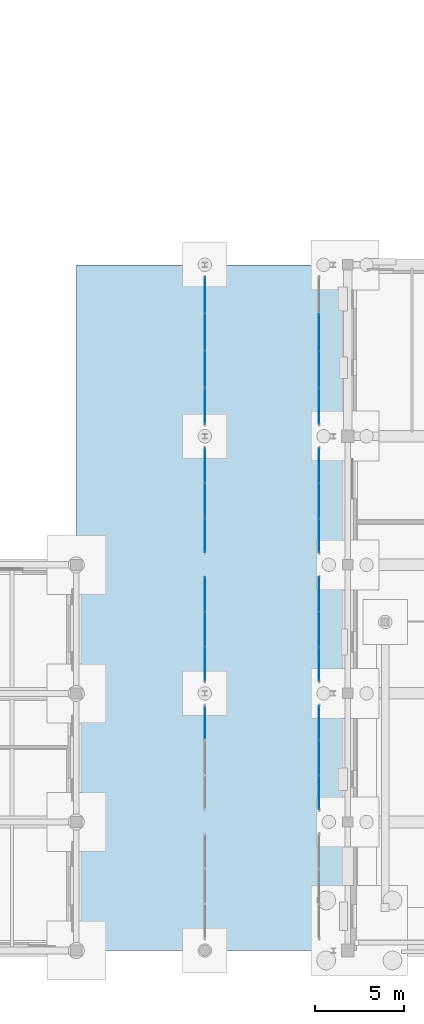
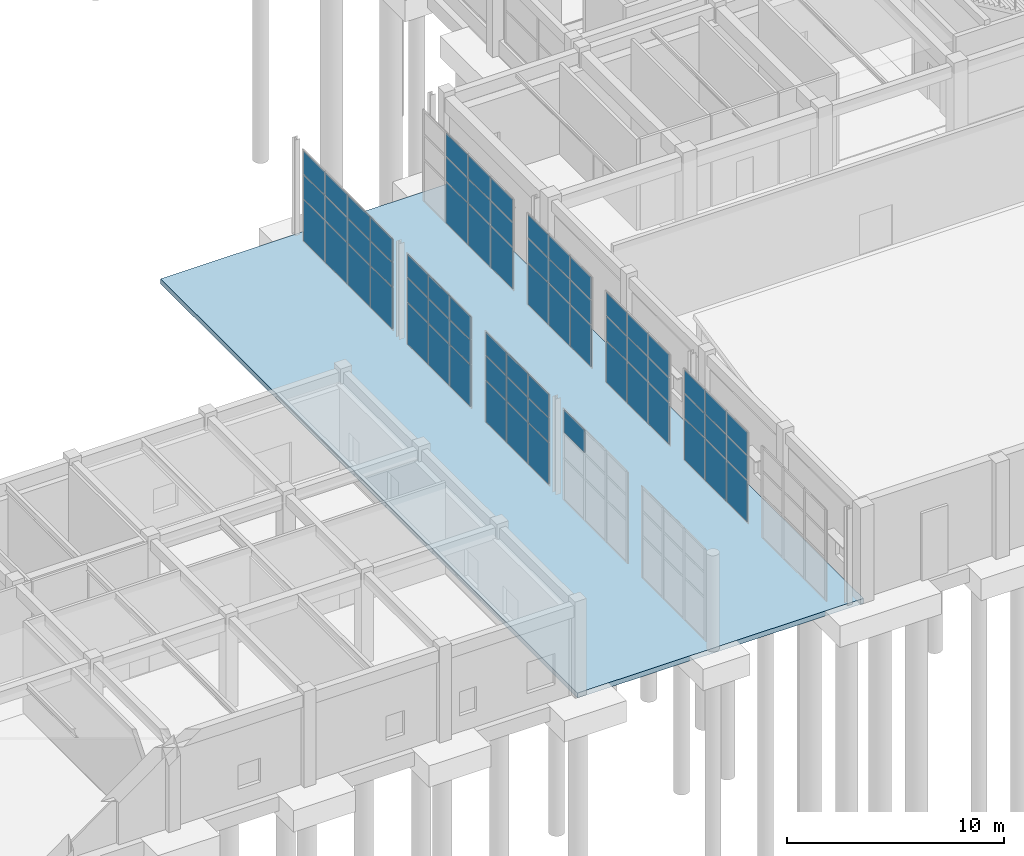
# One storey, part 57 of 91: 67 plates, 1 slab, 8 elements without a shape of their own.
"""IFC4 building model written with IfcOpenShell, lengths in metres."""

from ifc_helpers import new_model, si_unit, direction, frame, origin, origin_2d, place, context, subcontext, project, spatial, polyline, rectangle, outline, extrude, material, layer, layer_set, type_object, element, aggregate, save


model = new_model("IFC4")

# Units and contexts
model_context = context("Model", 3, precision=1e-05, world=origin(), true_north=direction((0.0, 1.0)))
body_context = subcontext(model_context, "Body", "Model", "MODEL_VIEW")
ifc_project = project(units=[si_unit("LENGTHUNIT", "METRE"), si_unit("AREAUNIT", "SQUARE_METRE"), si_unit("VOLUMEUNIT", "CUBIC_METRE"), si_unit("PLANEANGLEUNIT", "RADIAN"), si_unit("MASSUNIT", "GRAM", prefix="KILO")], contexts=[model_context])

# Site, building, storey
site_placement = place(None, origin())
site = spatial("IfcSite", under=ifc_project, at=site_placement, CompositionType="ELEMENT")
building_placement = place(site_placement, origin())
building = spatial("IfcBuilding", under=site, at=building_placement, Name="Bramveld Media Centre", CompositionType="ELEMENT")
storey_placement = place(building_placement, origin())
storey = spatial("IfcBuildingStorey", under=building, at=storey_placement, Name="L00", CompositionType="ELEMENT", Elevation=0.0)

# Curtain wall, plate
ifc_material_1 = material(Name="Thermally broken anodized bronze aluminium unitized curtain wall with solar-control triple glazing", Category="aluminium")
curtain_wall_type_1 = type_object("IfcCurtainWallType", Name="CW-GAL-5900x5160", PredefinedType="NOTDEFINED", material=ifc_material_1)
curtain_wall_1_placement = place(storey_placement, origin())
curtain_wall_1 = element("IfcCurtainWall", 1, at=curtain_wall_1_placement, inside=storey, type_object=curtain_wall_type_1, Name="PASS-M colonnade glazed screen 2", PredefinedType="NOTDEFINED")
ifc_material_2 = material(Name="Solar-control triple insulating safety glass unit", Category="glass")
ifc_layer_1 = layer(ifc_material_2, 0.028076171875)
ifc_layer_set_1 = layer_set([ifc_layer_1], Name="Solar-control triple insulating safety glass unit")
plate_type = type_object("IfcPlateType", Name="CW-PAN-EXT", PredefinedType="CURTAIN_PANEL", material=ifc_layer_set_1)
plate_1_placement = place(storey_placement, frame((116.0, 12.751708984375, 3.830078125), z_axis=(0.0, 0.0, 1.0), x_axis=(0.0, 1.0, 0.0)))
plate_1 = element("IfcPlate", 2, at=plate_1_placement, type_object=plate_type, Name="CW-GA-5951 panel 3.3", PredefinedType="CURTAIN_PANEL", context=body_context, shape_type="SweptSolid", body=[
    extrude(rectangle(XDim=1.876708984375, YDim=0.028076171875, at=origin_2d()), origin(), (0.0, 0.0, 1.0), 1.27001953125),
])
aggregate(curtain_wall_1, [plate_1])

# Curtain wall, plates
curtain_wall_2_placement = place(storey_placement, origin())
curtain_wall_2 = element("IfcCurtainWall", 3, at=curtain_wall_2_placement, inside=storey, type_object=curtain_wall_type_1, Name="PASS-M colonnade glazed screen 3", PredefinedType="NOTDEFINED")
plate_2_placement = place(storey_placement, frame((116.0, 16.04833984375, 0.06005859375), z_axis=(0.0, 0.0, 1.0), x_axis=(0.0, 1.0, 0.0)))
plate_2 = element("IfcPlate", 4, at=plate_2_placement, type_object=plate_type, Name="CW-GA-5951 panel 1.1", PredefinedType="CURTAIN_PANEL", context=body_context, shape_type="SweptSolid", body=[
    extrude(rectangle(XDim=1.876708984375, YDim=0.028076171875, at=origin_2d()), origin(), (0.0, 0.0, 1.0), 2.31005859375),
])
plate_3_placement = place(storey_placement, frame((116.0, 16.04833984375, 2.43017578125), z_axis=(0.0, 0.0, 1.0), x_axis=(0.0, 1.0, 0.0)))
plate_3 = element("IfcPlate", 5, at=plate_3_placement, type_object=plate_type, Name="CW-GA-5951 panel 1.2", PredefinedType="CURTAIN_PANEL", context=body_context, shape_type="SweptSolid", body=[
    extrude(rectangle(XDim=1.876708984375, YDim=0.028076171875, at=origin_2d()), origin(), (0.0, 0.0, 1.0), 1.340087890625),
])
plate_4_placement = place(storey_placement, frame((116.0, 16.04833984375, 3.830078125), z_axis=(0.0, 0.0, 1.0), x_axis=(0.0, 1.0, 0.0)))
plate_4 = element("IfcPlate", 6, at=plate_4_placement, type_object=plate_type, Name="CW-GA-5951 panel 1.3", PredefinedType="CURTAIN_PANEL", context=body_context, shape_type="SweptSolid", body=[
    extrude(rectangle(XDim=1.876708984375, YDim=0.028076171875, at=origin_2d()), origin(), (0.0, 0.0, 1.0), 1.27001953125),
])
plate_5_placement = place(storey_placement, frame((116.0, 18.0, 0.06005859375), z_axis=(0.0, 0.0, 1.0), x_axis=(0.0, 1.0, 0.0)))
plate_5 = element("IfcPlate", 7, at=plate_5_placement, type_object=plate_type, Name="CW-GA-5951 panel 2.1", PredefinedType="CURTAIN_PANEL", context=body_context, shape_type="SweptSolid", body=[
    extrude(rectangle(XDim=1.90673828125, YDim=0.028076171875, at=origin_2d()), origin(), (0.0, 0.0, 1.0), 2.31005859375),
])
plate_6_placement = place(storey_placement, frame((116.0, 18.0, 2.43017578125), z_axis=(0.0, 0.0, 1.0), x_axis=(0.0, 1.0, 0.0)))
plate_6 = element("IfcPlate", 8, at=plate_6_placement, type_object=plate_type, Name="CW-GA-5951 panel 2.2", PredefinedType="CURTAIN_PANEL", context=body_context, shape_type="SweptSolid", body=[
    extrude(rectangle(XDim=1.90673828125, YDim=0.028076171875, at=origin_2d()), origin(), (0.0, 0.0, 1.0), 1.340087890625),
])
plate_7_placement = place(storey_placement, frame((116.0, 18.0, 3.830078125), z_axis=(0.0, 0.0, 1.0), x_axis=(0.0, 1.0, 0.0)))
plate_7 = element("IfcPlate", 9, at=plate_7_placement, type_object=plate_type, Name="CW-GA-5951 panel 2.3", PredefinedType="CURTAIN_PANEL", context=body_context, shape_type="SweptSolid", body=[
    extrude(rectangle(XDim=1.90673828125, YDim=0.028076171875, at=origin_2d()), origin(), (0.0, 0.0, 1.0), 1.27001953125),
])
plate_8_placement = place(storey_placement, frame((116.0, 19.95166015625, 0.06005859375), z_axis=(0.0, 0.0, 1.0), x_axis=(0.0, 1.0, 0.0)))
plate_8 = element("IfcPlate", 10, at=plate_8_placement, type_object=plate_type, Name="CW-GA-5951 panel 3.1", PredefinedType="CURTAIN_PANEL", context=body_context, shape_type="SweptSolid", body=[
    extrude(rectangle(XDim=1.876708984375, YDim=0.028076171875, at=origin_2d()), origin(), (0.0, 0.0, 1.0), 2.31005859375),
])
plate_9_placement = place(storey_placement, frame((116.0, 19.95166015625, 2.43017578125), z_axis=(0.0, 0.0, 1.0), x_axis=(0.0, 1.0, 0.0)))
plate_9 = element("IfcPlate", 11, at=plate_9_placement, type_object=plate_type, Name="CW-GA-5951 panel 3.2", PredefinedType="CURTAIN_PANEL", context=body_context, shape_type="SweptSolid", body=[
    extrude(rectangle(XDim=1.876708984375, YDim=0.028076171875, at=origin_2d()), origin(), (0.0, 0.0, 1.0), 1.340087890625),
])
plate_10_placement = place(storey_placement, frame((116.0, 19.95166015625, 3.830078125), z_axis=(0.0, 0.0, 1.0), x_axis=(0.0, 1.0, 0.0)))
plate_10 = element("IfcPlate", 12, at=plate_10_placement, type_object=plate_type, Name="CW-GA-5951 panel 3.3", PredefinedType="CURTAIN_PANEL", context=body_context, shape_type="SweptSolid", body=[
    extrude(rectangle(XDim=1.876708984375, YDim=0.028076171875, at=origin_2d()), origin(), (0.0, 0.0, 1.0), 1.27001953125),
])
aggregate(curtain_wall_2, [plate_2, plate_3, plate_4, plate_5, plate_6, plate_7, plate_8, plate_9, plate_10])

curtain_wall_3_placement = place(storey_placement, origin())
curtain_wall_3 = element("IfcCurtainWall", 13, at=curtain_wall_3_placement, inside=storey, type_object=curtain_wall_type_1, Name="PASS-M colonnade glazed screen 4", PredefinedType="NOTDEFINED")
plate_11_placement = place(storey_placement, frame((116.0, 23.248291015625, 0.06005859375), z_axis=(0.0, 0.0, 1.0), x_axis=(0.0, 1.0, 0.0)))
plate_11 = element("IfcPlate", 14, at=plate_11_placement, type_object=plate_type, Name="CW-GA-5951 panel 1.1", PredefinedType="CURTAIN_PANEL", context=body_context, shape_type="SweptSolid", body=[
    extrude(rectangle(XDim=1.876708984375, YDim=0.028076171875, at=origin_2d()), origin(), (0.0, 0.0, 1.0), 2.31005859375),
])
plate_12_placement = place(storey_placement, frame((116.0, 23.248291015625, 2.43017578125), z_axis=(0.0, 0.0, 1.0), x_axis=(0.0, 1.0, 0.0)))
plate_12 = element("IfcPlate", 15, at=plate_12_placement, type_object=plate_type, Name="CW-GA-5951 panel 1.2", PredefinedType="CURTAIN_PANEL", context=body_context, shape_type="SweptSolid", body=[
    extrude(rectangle(XDim=1.876708984375, YDim=0.028076171875, at=origin_2d()), origin(), (0.0, 0.0, 1.0), 1.340087890625),
])
plate_13_placement = place(storey_placement, frame((116.0, 23.248291015625, 3.830078125), z_axis=(0.0, 0.0, 1.0), x_axis=(0.0, 1.0, 0.0)))
plate_13 = element("IfcPlate", 16, at=plate_13_placement, type_object=plate_type, Name="CW-GA-5951 panel 1.3", PredefinedType="CURTAIN_PANEL", context=body_context, shape_type="SweptSolid", body=[
    extrude(rectangle(XDim=1.876708984375, YDim=0.028076171875, at=origin_2d()), origin(), (0.0, 0.0, 1.0), 1.27001953125),
])
plate_14_placement = place(storey_placement, frame((116.0, 25.199951171875, 0.06005859375), z_axis=(0.0, 0.0, 1.0), x_axis=(0.0, 1.0, 0.0)))
plate_14 = element("IfcPlate", 17, at=plate_14_placement, type_object=plate_type, Name="CW-GA-5951 panel 2.1", PredefinedType="CURTAIN_PANEL", context=body_context, shape_type="SweptSolid", body=[
    extrude(rectangle(XDim=1.90673828125, YDim=0.028076171875, at=origin_2d()), origin(), (0.0, 0.0, 1.0), 2.31005859375),
])
plate_15_placement = place(storey_placement, frame((116.0, 25.199951171875, 2.43017578125), z_axis=(0.0, 0.0, 1.0), x_axis=(0.0, 1.0, 0.0)))
plate_15 = element("IfcPlate", 18, at=plate_15_placement, type_object=plate_type, Name="CW-GA-5951 panel 2.2", PredefinedType="CURTAIN_PANEL", context=body_context, shape_type="SweptSolid", body=[
    extrude(rectangle(XDim=1.90673828125, YDim=0.028076171875, at=origin_2d()), origin(), (0.0, 0.0, 1.0), 1.340087890625),
])
plate_16_placement = place(storey_placement, frame((116.0, 25.199951171875, 3.830078125), z_axis=(0.0, 0.0, 1.0), x_axis=(0.0, 1.0, 0.0)))
plate_16 = element("IfcPlate", 19, at=plate_16_placement, type_object=plate_type, Name="CW-GA-5951 panel 2.3", PredefinedType="CURTAIN_PANEL", context=body_context, shape_type="SweptSolid", body=[
    extrude(rectangle(XDim=1.90673828125, YDim=0.028076171875, at=origin_2d()), origin(), (0.0, 0.0, 1.0), 1.27001953125),
])
plate_17_placement = place(storey_placement, frame((116.0, 27.151611328125, 0.06005859375), z_axis=(0.0, 0.0, 1.0), x_axis=(0.0, 1.0, 0.0)))
plate_17 = element("IfcPlate", 20, at=plate_17_placement, type_object=plate_type, Name="CW-GA-5951 panel 3.1", PredefinedType="CURTAIN_PANEL", context=body_context, shape_type="SweptSolid", body=[
    extrude(rectangle(XDim=1.876708984375, YDim=0.028076171875, at=origin_2d()), origin(), (0.0, 0.0, 1.0), 2.31005859375),
])
plate_18_placement = place(storey_placement, frame((116.0, 27.151611328125, 2.43017578125), z_axis=(0.0, 0.0, 1.0), x_axis=(0.0, 1.0, 0.0)))
plate_18 = element("IfcPlate", 21, at=plate_18_placement, type_object=plate_type, Name="CW-GA-5951 panel 3.2", PredefinedType="CURTAIN_PANEL", context=body_context, shape_type="SweptSolid", body=[
    extrude(rectangle(XDim=1.876708984375, YDim=0.028076171875, at=origin_2d()), origin(), (0.0, 0.0, 1.0), 1.340087890625),
])
plate_19_placement = place(storey_placement, frame((116.0, 27.151611328125, 3.830078125), z_axis=(0.0, 0.0, 1.0), x_axis=(0.0, 1.0, 0.0)))
plate_19 = element("IfcPlate", 22, at=plate_19_placement, type_object=plate_type, Name="CW-GA-5951 panel 3.3", PredefinedType="CURTAIN_PANEL", context=body_context, shape_type="SweptSolid", body=[
    extrude(rectangle(XDim=1.876708984375, YDim=0.028076171875, at=origin_2d()), origin(), (0.0, 0.0, 1.0), 1.27001953125),
])
aggregate(curtain_wall_3, [plate_11, plate_12, plate_13, plate_14, plate_15, plate_16, plate_17, plate_18, plate_19])

ifc_material_3 = material(Name="Thermally broken anodized bronze aluminium unitized curtain wall with solar-control triple glazing", Category="aluminium")
curtain_wall_type_2 = type_object("IfcCurtainWallType", Name="CW-GAL-8300x5160", PredefinedType="NOTDEFINED", material=ifc_material_3)
curtain_wall_4_placement = place(storey_placement, origin())
curtain_wall_4 = element("IfcCurtainWall", 23, at=curtain_wall_4_placement, inside=storey, type_object=curtain_wall_type_2, Name="PASS-M colonnade glazed screen 5", PredefinedType="NOTDEFINED")
plate_20_placement = place(storey_placement, frame((116.0, 30.50244140625, 0.06005859375), z_axis=(0.0, 0.0, 1.0), x_axis=(0.0, 1.0, 0.0)))
plate_20 = element("IfcPlate", 24, at=plate_20_placement, type_object=plate_type, Name="CW-GA-8351 panel 1.1", PredefinedType="CURTAIN_PANEL", context=body_context, shape_type="SweptSolid", body=[
    extrude(rectangle(XDim=1.985107421875, YDim=0.028076171875, at=origin_2d()), origin(), (0.0, 0.0, 1.0), 2.31005859375),
])
plate_21_placement = place(storey_placement, frame((116.0, 30.50244140625, 2.43017578125), z_axis=(0.0, 0.0, 1.0), x_axis=(0.0, 1.0, 0.0)))
plate_21 = element("IfcPlate", 25, at=plate_21_placement, type_object=plate_type, Name="CW-GA-8351 panel 1.2", PredefinedType="CURTAIN_PANEL", context=body_context, shape_type="SweptSolid", body=[
    extrude(rectangle(XDim=1.985107421875, YDim=0.028076171875, at=origin_2d()), origin(), (0.0, 0.0, 1.0), 1.340087890625),
])
plate_22_placement = place(storey_placement, frame((116.0, 30.50244140625, 3.830078125), z_axis=(0.0, 0.0, 1.0), x_axis=(0.0, 1.0, 0.0)))
plate_22 = element("IfcPlate", 26, at=plate_22_placement, type_object=plate_type, Name="CW-GA-8351 panel 1.3", PredefinedType="CURTAIN_PANEL", context=body_context, shape_type="SweptSolid", body=[
    extrude(rectangle(XDim=1.985107421875, YDim=0.028076171875, at=origin_2d()), origin(), (0.0, 0.0, 1.0), 1.27001953125),
])
plate_23_placement = place(storey_placement, frame((116.0, 32.5625, 0.06005859375), z_axis=(0.0, 0.0, 1.0), x_axis=(0.0, 1.0, 0.0)))
plate_23 = element("IfcPlate", 27, at=plate_23_placement, type_object=plate_type, Name="CW-GA-8351 panel 2.1", PredefinedType="CURTAIN_PANEL", context=body_context, shape_type="SweptSolid", body=[
    extrude(rectangle(XDim=2.014892578125, YDim=0.028076171875, at=origin_2d()), origin(), (0.0, 0.0, 1.0), 2.31005859375),
])
plate_24_placement = place(storey_placement, frame((116.0, 32.5625, 2.43017578125), z_axis=(0.0, 0.0, 1.0), x_axis=(0.0, 1.0, 0.0)))
plate_24 = element("IfcPlate", 28, at=plate_24_placement, type_object=plate_type, Name="CW-GA-8351 panel 2.2", PredefinedType="CURTAIN_PANEL", context=body_context, shape_type="SweptSolid", body=[
    extrude(rectangle(XDim=2.014892578125, YDim=0.028076171875, at=origin_2d()), origin(), (0.0, 0.0, 1.0), 1.340087890625),
])
plate_25_placement = place(storey_placement, frame((116.0, 32.5625, 3.830078125), z_axis=(0.0, 0.0, 1.0), x_axis=(0.0, 1.0, 0.0)))
plate_25 = element("IfcPlate", 29, at=plate_25_placement, type_object=plate_type, Name="CW-GA-8351 panel 2.3", PredefinedType="CURTAIN_PANEL", context=body_context, shape_type="SweptSolid", body=[
    extrude(rectangle(XDim=2.014892578125, YDim=0.028076171875, at=origin_2d()), origin(), (0.0, 0.0, 1.0), 1.27001953125),
])
plate_26_placement = place(storey_placement, frame((116.0, 34.637451171875, 0.06005859375), z_axis=(0.0, 0.0, 1.0), x_axis=(0.0, 1.0, 0.0)))
plate_26 = element("IfcPlate", 30, at=plate_26_placement, type_object=plate_type, Name="CW-GA-8351 panel 3.1", PredefinedType="CURTAIN_PANEL", context=body_context, shape_type="SweptSolid", body=[
    extrude(rectangle(XDim=2.014892578125, YDim=0.028076171875, at=origin_2d()), origin(), (0.0, 0.0, 1.0), 2.31005859375),
])
plate_27_placement = place(storey_placement, frame((116.0, 34.637451171875, 2.43017578125), z_axis=(0.0, 0.0, 1.0), x_axis=(0.0, 1.0, 0.0)))
plate_27 = element("IfcPlate", 31, at=plate_27_placement, type_object=plate_type, Name="CW-GA-8351 panel 3.2", PredefinedType="CURTAIN_PANEL", context=body_context, shape_type="SweptSolid", body=[
    extrude(rectangle(XDim=2.014892578125, YDim=0.028076171875, at=origin_2d()), origin(), (0.0, 0.0, 1.0), 1.340087890625),
])
plate_28_placement = place(storey_placement, frame((116.0, 34.637451171875, 3.830078125), z_axis=(0.0, 0.0, 1.0), x_axis=(0.0, 1.0, 0.0)))
plate_28 = element("IfcPlate", 32, at=plate_28_placement, type_object=plate_type, Name="CW-GA-8351 panel 3.3", PredefinedType="CURTAIN_PANEL", context=body_context, shape_type="SweptSolid", body=[
    extrude(rectangle(XDim=2.014892578125, YDim=0.028076171875, at=origin_2d()), origin(), (0.0, 0.0, 1.0), 1.27001953125),
])
plate_29_placement = place(storey_placement, frame((116.0, 36.697509765625, 0.06005859375), z_axis=(0.0, 0.0, 1.0), x_axis=(0.0, 1.0, 0.0)))
plate_29 = element("IfcPlate", 33, at=plate_29_placement, type_object=plate_type, Name="CW-GA-8351 panel 4.1", PredefinedType="CURTAIN_PANEL", context=body_context, shape_type="SweptSolid", body=[
    extrude(rectangle(XDim=1.985107421875, YDim=0.028076171875, at=origin_2d()), origin(), (0.0, 0.0, 1.0), 2.31005859375),
])
plate_30_placement = place(storey_placement, frame((116.0, 36.697509765625, 2.43017578125), z_axis=(0.0, 0.0, 1.0), x_axis=(0.0, 1.0, 0.0)))
plate_30 = element("IfcPlate", 34, at=plate_30_placement, type_object=plate_type, Name="CW-GA-8351 panel 4.2", PredefinedType="CURTAIN_PANEL", context=body_context, shape_type="SweptSolid", body=[
    extrude(rectangle(XDim=1.985107421875, YDim=0.028076171875, at=origin_2d()), origin(), (0.0, 0.0, 1.0), 1.340087890625),
])
plate_31_placement = place(storey_placement, frame((116.0, 36.697509765625, 3.830078125), z_axis=(0.0, 0.0, 1.0), x_axis=(0.0, 1.0, 0.0)))
plate_31 = element("IfcPlate", 35, at=plate_31_placement, type_object=plate_type, Name="CW-GA-8351 panel 4.3", PredefinedType="CURTAIN_PANEL", context=body_context, shape_type="SweptSolid", body=[
    extrude(rectangle(XDim=1.985107421875, YDim=0.028076171875, at=origin_2d()), origin(), (0.0, 0.0, 1.0), 1.27001953125),
])
aggregate(curtain_wall_4, [plate_20, plate_21, plate_22, plate_23, plate_24, plate_25, plate_26, plate_27, plate_28, plate_29, plate_30, plate_31])

curtain_wall_5_placement = place(storey_placement, origin())
curtain_wall_5 = element("IfcCurtainWall", 36, at=curtain_wall_5_placement, inside=storey, type_object=curtain_wall_type_1, Name="PASS-E colonnade glazed screen 2", PredefinedType="NOTDEFINED")
plate_32_placement = place(storey_placement, frame((122.39990234375, 8.848388671875, 0.06005859375), z_axis=(0.0, 0.0, 1.0), x_axis=(0.0, 1.0, 0.0)))
plate_32 = element("IfcPlate", 37, at=plate_32_placement, type_object=plate_type, Name="CW-GA-5951 panel 1.1", PredefinedType="CURTAIN_PANEL", context=body_context, shape_type="SweptSolid", body=[
    extrude(rectangle(XDim=1.876708984375, YDim=0.028076171875, at=origin_2d()), origin(), (0.0, 0.0, 1.0), 2.31005859375),
])
plate_33_placement = place(storey_placement, frame((122.39990234375, 8.848388671875, 2.43017578125), z_axis=(0.0, 0.0, 1.0), x_axis=(0.0, 1.0, 0.0)))
plate_33 = element("IfcPlate", 38, at=plate_33_placement, type_object=plate_type, Name="CW-GA-5951 panel 1.2", PredefinedType="CURTAIN_PANEL", context=body_context, shape_type="SweptSolid", body=[
    extrude(rectangle(XDim=1.876708984375, YDim=0.028076171875, at=origin_2d()), origin(), (0.0, 0.0, 1.0), 1.340087890625),
])
plate_34_placement = place(storey_placement, frame((122.39990234375, 8.848388671875, 3.830078125), z_axis=(0.0, 0.0, 1.0), x_axis=(0.0, 1.0, 0.0)))
plate_34 = element("IfcPlate", 39, at=plate_34_placement, type_object=plate_type, Name="CW-GA-5951 panel 1.3", PredefinedType="CURTAIN_PANEL", context=body_context, shape_type="SweptSolid", body=[
    extrude(rectangle(XDim=1.876708984375, YDim=0.028076171875, at=origin_2d()), origin(), (0.0, 0.0, 1.0), 1.27001953125),
])
plate_35_placement = place(storey_placement, frame((122.39990234375, 10.800048828125, 0.06005859375), z_axis=(0.0, 0.0, 1.0), x_axis=(0.0, 1.0, 0.0)))
plate_35 = element("IfcPlate", 40, at=plate_35_placement, type_object=plate_type, Name="CW-GA-5951 panel 2.1", PredefinedType="CURTAIN_PANEL", context=body_context, shape_type="SweptSolid", body=[
    extrude(rectangle(XDim=1.90673828125, YDim=0.028076171875, at=origin_2d()), origin(), (0.0, 0.0, 1.0), 2.31005859375),
])
plate_36_placement = place(storey_placement, frame((122.39990234375, 10.800048828125, 2.43017578125), z_axis=(0.0, 0.0, 1.0), x_axis=(0.0, 1.0, 0.0)))
plate_36 = element("IfcPlate", 41, at=plate_36_placement, type_object=plate_type, Name="CW-GA-5951 panel 2.2", PredefinedType="CURTAIN_PANEL", context=body_context, shape_type="SweptSolid", body=[
    extrude(rectangle(XDim=1.90673828125, YDim=0.028076171875, at=origin_2d()), origin(), (0.0, 0.0, 1.0), 1.340087890625),
])
plate_37_placement = place(storey_placement, frame((122.39990234375, 10.800048828125, 3.830078125), z_axis=(0.0, 0.0, 1.0), x_axis=(0.0, 1.0, 0.0)))
plate_37 = element("IfcPlate", 42, at=plate_37_placement, type_object=plate_type, Name="CW-GA-5951 panel 2.3", PredefinedType="CURTAIN_PANEL", context=body_context, shape_type="SweptSolid", body=[
    extrude(rectangle(XDim=1.90673828125, YDim=0.028076171875, at=origin_2d()), origin(), (0.0, 0.0, 1.0), 1.27001953125),
])
plate_38_placement = place(storey_placement, frame((122.39990234375, 12.751708984375, 0.06005859375), z_axis=(0.0, 0.0, 1.0), x_axis=(0.0, 1.0, 0.0)))
plate_38 = element("IfcPlate", 43, at=plate_38_placement, type_object=plate_type, Name="CW-GA-5951 panel 3.1", PredefinedType="CURTAIN_PANEL", context=body_context, shape_type="SweptSolid", body=[
    extrude(rectangle(XDim=1.876708984375, YDim=0.028076171875, at=origin_2d()), origin(), (0.0, 0.0, 1.0), 2.31005859375),
])
plate_39_placement = place(storey_placement, frame((122.39990234375, 12.751708984375, 2.43017578125), z_axis=(0.0, 0.0, 1.0), x_axis=(0.0, 1.0, 0.0)))
plate_39 = element("IfcPlate", 44, at=plate_39_placement, type_object=plate_type, Name="CW-GA-5951 panel 3.2", PredefinedType="CURTAIN_PANEL", context=body_context, shape_type="SweptSolid", body=[
    extrude(rectangle(XDim=1.876708984375, YDim=0.028076171875, at=origin_2d()), origin(), (0.0, 0.0, 1.0), 1.340087890625),
])
plate_40_placement = place(storey_placement, frame((122.39990234375, 12.751708984375, 3.830078125), z_axis=(0.0, 0.0, 1.0), x_axis=(0.0, 1.0, 0.0)))
plate_40 = element("IfcPlate", 45, at=plate_40_placement, type_object=plate_type, Name="CW-GA-5951 panel 3.3", PredefinedType="CURTAIN_PANEL", context=body_context, shape_type="SweptSolid", body=[
    extrude(rectangle(XDim=1.876708984375, YDim=0.028076171875, at=origin_2d()), origin(), (0.0, 0.0, 1.0), 1.27001953125),
])
aggregate(curtain_wall_5, [plate_32, plate_33, plate_34, plate_35, plate_36, plate_37, plate_38, plate_39, plate_40])

curtain_wall_6_placement = place(storey_placement, origin())
curtain_wall_6 = element("IfcCurtainWall", 46, at=curtain_wall_6_placement, inside=storey, type_object=curtain_wall_type_1, Name="PASS-E colonnade glazed screen 3", PredefinedType="NOTDEFINED")
plate_41_placement = place(storey_placement, frame((122.39990234375, 16.04833984375, 0.06005859375), z_axis=(0.0, 0.0, 1.0), x_axis=(0.0, 1.0, 0.0)))
plate_41 = element("IfcPlate", 47, at=plate_41_placement, type_object=plate_type, Name="CW-GA-5951 panel 1.1", PredefinedType="CURTAIN_PANEL", context=body_context, shape_type="SweptSolid", body=[
    extrude(rectangle(XDim=1.876708984375, YDim=0.028076171875, at=origin_2d()), origin(), (0.0, 0.0, 1.0), 2.31005859375),
])
plate_42_placement = place(storey_placement, frame((122.39990234375, 16.04833984375, 2.43017578125), z_axis=(0.0, 0.0, 1.0), x_axis=(0.0, 1.0, 0.0)))
plate_42 = element("IfcPlate", 48, at=plate_42_placement, type_object=plate_type, Name="CW-GA-5951 panel 1.2", PredefinedType="CURTAIN_PANEL", context=body_context, shape_type="SweptSolid", body=[
    extrude(rectangle(XDim=1.876708984375, YDim=0.028076171875, at=origin_2d()), origin(), (0.0, 0.0, 1.0), 1.340087890625),
])
plate_43_placement = place(storey_placement, frame((122.39990234375, 16.04833984375, 3.830078125), z_axis=(0.0, 0.0, 1.0), x_axis=(0.0, 1.0, 0.0)))
plate_43 = element("IfcPlate", 49, at=plate_43_placement, type_object=plate_type, Name="CW-GA-5951 panel 1.3", PredefinedType="CURTAIN_PANEL", context=body_context, shape_type="SweptSolid", body=[
    extrude(rectangle(XDim=1.876708984375, YDim=0.028076171875, at=origin_2d()), origin(), (0.0, 0.0, 1.0), 1.27001953125),
])
plate_44_placement = place(storey_placement, frame((122.39990234375, 18.0, 0.06005859375), z_axis=(0.0, 0.0, 1.0), x_axis=(0.0, 1.0, 0.0)))
plate_44 = element("IfcPlate", 50, at=plate_44_placement, type_object=plate_type, Name="CW-GA-5951 panel 2.1", PredefinedType="CURTAIN_PANEL", context=body_context, shape_type="SweptSolid", body=[
    extrude(rectangle(XDim=1.90673828125, YDim=0.028076171875, at=origin_2d()), origin(), (0.0, 0.0, 1.0), 2.31005859375),
])
plate_45_placement = place(storey_placement, frame((122.39990234375, 18.0, 2.43017578125), z_axis=(0.0, 0.0, 1.0), x_axis=(0.0, 1.0, 0.0)))
plate_45 = element("IfcPlate", 51, at=plate_45_placement, type_object=plate_type, Name="CW-GA-5951 panel 2.2", PredefinedType="CURTAIN_PANEL", context=body_context, shape_type="SweptSolid", body=[
    extrude(rectangle(XDim=1.90673828125, YDim=0.028076171875, at=origin_2d()), origin(), (0.0, 0.0, 1.0), 1.340087890625),
])
plate_46_placement = place(storey_placement, frame((122.39990234375, 18.0, 3.830078125), z_axis=(0.0, 0.0, 1.0), x_axis=(0.0, 1.0, 0.0)))
plate_46 = element("IfcPlate", 52, at=plate_46_placement, type_object=plate_type, Name="CW-GA-5951 panel 2.3", PredefinedType="CURTAIN_PANEL", context=body_context, shape_type="SweptSolid", body=[
    extrude(rectangle(XDim=1.90673828125, YDim=0.028076171875, at=origin_2d()), origin(), (0.0, 0.0, 1.0), 1.27001953125),
])
plate_47_placement = place(storey_placement, frame((122.39990234375, 19.95166015625, 0.06005859375), z_axis=(0.0, 0.0, 1.0), x_axis=(0.0, 1.0, 0.0)))
plate_47 = element("IfcPlate", 53, at=plate_47_placement, type_object=plate_type, Name="CW-GA-5951 panel 3.1", PredefinedType="CURTAIN_PANEL", context=body_context, shape_type="SweptSolid", body=[
    extrude(rectangle(XDim=1.876708984375, YDim=0.028076171875, at=origin_2d()), origin(), (0.0, 0.0, 1.0), 2.31005859375),
])
plate_48_placement = place(storey_placement, frame((122.39990234375, 19.95166015625, 2.43017578125), z_axis=(0.0, 0.0, 1.0), x_axis=(0.0, 1.0, 0.0)))
plate_48 = element("IfcPlate", 54, at=plate_48_placement, type_object=plate_type, Name="CW-GA-5951 panel 3.2", PredefinedType="CURTAIN_PANEL", context=body_context, shape_type="SweptSolid", body=[
    extrude(rectangle(XDim=1.876708984375, YDim=0.028076171875, at=origin_2d()), origin(), (0.0, 0.0, 1.0), 1.340087890625),
])
plate_49_placement = place(storey_placement, frame((122.39990234375, 19.95166015625, 3.830078125), z_axis=(0.0, 0.0, 1.0), x_axis=(0.0, 1.0, 0.0)))
plate_49 = element("IfcPlate", 55, at=plate_49_placement, type_object=plate_type, Name="CW-GA-5951 panel 3.3", PredefinedType="CURTAIN_PANEL", context=body_context, shape_type="SweptSolid", body=[
    extrude(rectangle(XDim=1.876708984375, YDim=0.028076171875, at=origin_2d()), origin(), (0.0, 0.0, 1.0), 1.27001953125),
])
aggregate(curtain_wall_6, [plate_41, plate_42, plate_43, plate_44, plate_45, plate_46, plate_47, plate_48, plate_49])

curtain_wall_7_placement = place(storey_placement, origin())
curtain_wall_7 = element("IfcCurtainWall", 56, at=curtain_wall_7_placement, inside=storey, type_object=curtain_wall_type_1, Name="PASS-E colonnade glazed screen 4", PredefinedType="NOTDEFINED")
plate_50_placement = place(storey_placement, frame((122.39990234375, 23.248291015625, 0.06005859375), z_axis=(0.0, 0.0, 1.0), x_axis=(0.0, 1.0, 0.0)))
plate_50 = element("IfcPlate", 57, at=plate_50_placement, type_object=plate_type, Name="CW-GA-5951 panel 1.1", PredefinedType="CURTAIN_PANEL", context=body_context, shape_type="SweptSolid", body=[
    extrude(rectangle(XDim=1.876708984375, YDim=0.028076171875, at=origin_2d()), origin(), (0.0, 0.0, 1.0), 2.31005859375),
])
plate_51_placement = place(storey_placement, frame((122.39990234375, 23.248291015625, 2.43017578125), z_axis=(0.0, 0.0, 1.0), x_axis=(0.0, 1.0, 0.0)))
plate_51 = element("IfcPlate", 58, at=plate_51_placement, type_object=plate_type, Name="CW-GA-5951 panel 1.2", PredefinedType="CURTAIN_PANEL", context=body_context, shape_type="SweptSolid", body=[
    extrude(rectangle(XDim=1.876708984375, YDim=0.028076171875, at=origin_2d()), origin(), (0.0, 0.0, 1.0), 1.340087890625),
])
plate_52_placement = place(storey_placement, frame((122.39990234375, 23.248291015625, 3.830078125), z_axis=(0.0, 0.0, 1.0), x_axis=(0.0, 1.0, 0.0)))
plate_52 = element("IfcPlate", 59, at=plate_52_placement, type_object=plate_type, Name="CW-GA-5951 panel 1.3", PredefinedType="CURTAIN_PANEL", context=body_context, shape_type="SweptSolid", body=[
    extrude(rectangle(XDim=1.876708984375, YDim=0.028076171875, at=origin_2d()), origin(), (0.0, 0.0, 1.0), 1.27001953125),
])
plate_53_placement = place(storey_placement, frame((122.39990234375, 25.199951171875, 0.06005859375), z_axis=(0.0, 0.0, 1.0), x_axis=(0.0, 1.0, 0.0)))
plate_53 = element("IfcPlate", 60, at=plate_53_placement, type_object=plate_type, Name="CW-GA-5951 panel 2.1", PredefinedType="CURTAIN_PANEL", context=body_context, shape_type="SweptSolid", body=[
    extrude(rectangle(XDim=1.90673828125, YDim=0.028076171875, at=origin_2d()), origin(), (0.0, 0.0, 1.0), 2.31005859375),
])
plate_54_placement = place(storey_placement, frame((122.39990234375, 25.199951171875, 2.43017578125), z_axis=(0.0, 0.0, 1.0), x_axis=(0.0, 1.0, 0.0)))
plate_54 = element("IfcPlate", 61, at=plate_54_placement, type_object=plate_type, Name="CW-GA-5951 panel 2.2", PredefinedType="CURTAIN_PANEL", context=body_context, shape_type="SweptSolid", body=[
    extrude(rectangle(XDim=1.90673828125, YDim=0.028076171875, at=origin_2d()), origin(), (0.0, 0.0, 1.0), 1.340087890625),
])
plate_55_placement = place(storey_placement, frame((122.39990234375, 25.199951171875, 3.830078125), z_axis=(0.0, 0.0, 1.0), x_axis=(0.0, 1.0, 0.0)))
plate_55 = element("IfcPlate", 62, at=plate_55_placement, type_object=plate_type, Name="CW-GA-5951 panel 2.3", PredefinedType="CURTAIN_PANEL", context=body_context, shape_type="SweptSolid", body=[
    extrude(rectangle(XDim=1.90673828125, YDim=0.028076171875, at=origin_2d()), origin(), (0.0, 0.0, 1.0), 1.27001953125),
])
plate_56_placement = place(storey_placement, frame((122.39990234375, 27.151611328125, 0.06005859375), z_axis=(0.0, 0.0, 1.0), x_axis=(0.0, 1.0, 0.0)))
plate_56 = element("IfcPlate", 63, at=plate_56_placement, type_object=plate_type, Name="CW-GA-5951 panel 3.1", PredefinedType="CURTAIN_PANEL", context=body_context, shape_type="SweptSolid", body=[
    extrude(rectangle(XDim=1.876708984375, YDim=0.028076171875, at=origin_2d()), origin(), (0.0, 0.0, 1.0), 2.31005859375),
])
plate_57_placement = place(storey_placement, frame((122.39990234375, 27.151611328125, 2.43017578125), z_axis=(0.0, 0.0, 1.0), x_axis=(0.0, 1.0, 0.0)))
plate_57 = element("IfcPlate", 64, at=plate_57_placement, type_object=plate_type, Name="CW-GA-5951 panel 3.2", PredefinedType="CURTAIN_PANEL", context=body_context, shape_type="SweptSolid", body=[
    extrude(rectangle(XDim=1.876708984375, YDim=0.028076171875, at=origin_2d()), origin(), (0.0, 0.0, 1.0), 1.340087890625),
])
plate_58_placement = place(storey_placement, frame((122.39990234375, 27.151611328125, 3.830078125), z_axis=(0.0, 0.0, 1.0), x_axis=(0.0, 1.0, 0.0)))
plate_58 = element("IfcPlate", 65, at=plate_58_placement, type_object=plate_type, Name="CW-GA-5951 panel 3.3", PredefinedType="CURTAIN_PANEL", context=body_context, shape_type="SweptSolid", body=[
    extrude(rectangle(XDim=1.876708984375, YDim=0.028076171875, at=origin_2d()), origin(), (0.0, 0.0, 1.0), 1.27001953125),
])
aggregate(curtain_wall_7, [plate_50, plate_51, plate_52, plate_53, plate_54, plate_55, plate_56, plate_57, plate_58])

curtain_wall_8_placement = place(storey_placement, origin())
curtain_wall_8 = element("IfcCurtainWall", 66, at=curtain_wall_8_placement, inside=storey, type_object=curtain_wall_type_2, Name="PASS-E colonnade glazed screen 5", PredefinedType="NOTDEFINED")
plate_59_placement = place(storey_placement, frame((122.39990234375, 30.50244140625, 0.06005859375), z_axis=(0.0, 0.0, 1.0), x_axis=(0.0, 1.0, 0.0)))
plate_59 = element("IfcPlate", 67, at=plate_59_placement, type_object=plate_type, Name="CW-GA-8351 panel 1.1", PredefinedType="CURTAIN_PANEL", context=body_context, shape_type="SweptSolid", body=[
    extrude(rectangle(XDim=1.985107421875, YDim=0.028076171875, at=origin_2d()), origin(), (0.0, 0.0, 1.0), 2.31005859375),
])
plate_60_placement = place(storey_placement, frame((122.39990234375, 30.50244140625, 2.43017578125), z_axis=(0.0, 0.0, 1.0), x_axis=(0.0, 1.0, 0.0)))
plate_60 = element("IfcPlate", 68, at=plate_60_placement, type_object=plate_type, Name="CW-GA-8351 panel 1.2", PredefinedType="CURTAIN_PANEL", context=body_context, shape_type="SweptSolid", body=[
    extrude(rectangle(XDim=1.985107421875, YDim=0.028076171875, at=origin_2d()), origin(), (0.0, 0.0, 1.0), 1.340087890625),
])
plate_61_placement = place(storey_placement, frame((122.39990234375, 30.50244140625, 3.830078125), z_axis=(0.0, 0.0, 1.0), x_axis=(0.0, 1.0, 0.0)))
plate_61 = element("IfcPlate", 69, at=plate_61_placement, type_object=plate_type, Name="CW-GA-8351 panel 1.3", PredefinedType="CURTAIN_PANEL", context=body_context, shape_type="SweptSolid", body=[
    extrude(rectangle(XDim=1.985107421875, YDim=0.028076171875, at=origin_2d()), origin(), (0.0, 0.0, 1.0), 1.27001953125),
])
plate_62_placement = place(storey_placement, frame((122.39990234375, 32.5625, 0.06005859375), z_axis=(0.0, 0.0, 1.0), x_axis=(0.0, 1.0, 0.0)))
plate_62 = element("IfcPlate", 70, at=plate_62_placement, type_object=plate_type, Name="CW-GA-8351 panel 2.1", PredefinedType="CURTAIN_PANEL", context=body_context, shape_type="SweptSolid", body=[
    extrude(rectangle(XDim=2.014892578125, YDim=0.028076171875, at=origin_2d()), origin(), (0.0, 0.0, 1.0), 2.31005859375),
])
plate_63_placement = place(storey_placement, frame((122.39990234375, 32.5625, 2.43017578125), z_axis=(0.0, 0.0, 1.0), x_axis=(0.0, 1.0, 0.0)))
plate_63 = element("IfcPlate", 71, at=plate_63_placement, type_object=plate_type, Name="CW-GA-8351 panel 2.2", PredefinedType="CURTAIN_PANEL", context=body_context, shape_type="SweptSolid", body=[
    extrude(rectangle(XDim=2.014892578125, YDim=0.028076171875, at=origin_2d()), origin(), (0.0, 0.0, 1.0), 1.340087890625),
])
plate_64_placement = place(storey_placement, frame((122.39990234375, 32.5625, 3.830078125), z_axis=(0.0, 0.0, 1.0), x_axis=(0.0, 1.0, 0.0)))
plate_64 = element("IfcPlate", 72, at=plate_64_placement, type_object=plate_type, Name="CW-GA-8351 panel 2.3", PredefinedType="CURTAIN_PANEL", context=body_context, shape_type="SweptSolid", body=[
    extrude(rectangle(XDim=2.014892578125, YDim=0.028076171875, at=origin_2d()), origin(), (0.0, 0.0, 1.0), 1.27001953125),
])
plate_65_placement = place(storey_placement, frame((122.39990234375, 34.637451171875, 0.06005859375), z_axis=(0.0, 0.0, 1.0), x_axis=(0.0, 1.0, 0.0)))
plate_65 = element("IfcPlate", 73, at=plate_65_placement, type_object=plate_type, Name="CW-GA-8351 panel 3.1", PredefinedType="CURTAIN_PANEL", context=body_context, shape_type="SweptSolid", body=[
    extrude(rectangle(XDim=2.014892578125, YDim=0.028076171875, at=origin_2d()), origin(), (0.0, 0.0, 1.0), 2.31005859375),
])
plate_66_placement = place(storey_placement, frame((122.39990234375, 34.637451171875, 2.43017578125), z_axis=(0.0, 0.0, 1.0), x_axis=(0.0, 1.0, 0.0)))
plate_66 = element("IfcPlate", 74, at=plate_66_placement, type_object=plate_type, Name="CW-GA-8351 panel 3.2", PredefinedType="CURTAIN_PANEL", context=body_context, shape_type="SweptSolid", body=[
    extrude(rectangle(XDim=2.014892578125, YDim=0.028076171875, at=origin_2d()), origin(), (0.0, 0.0, 1.0), 1.340087890625),
])
plate_67_placement = place(storey_placement, frame((122.39990234375, 34.637451171875, 3.830078125), z_axis=(0.0, 0.0, 1.0), x_axis=(0.0, 1.0, 0.0)))
plate_67 = element("IfcPlate", 75, at=plate_67_placement, type_object=plate_type, Name="CW-GA-8351 panel 3.3", PredefinedType="CURTAIN_PANEL", context=body_context, shape_type="SweptSolid", body=[
    extrude(rectangle(XDim=2.014892578125, YDim=0.028076171875, at=origin_2d()), origin(), (0.0, 0.0, 1.0), 1.27001953125),
])
aggregate(curtain_wall_8, [plate_59, plate_60, plate_61, plate_62, plate_63, plate_64, plate_65, plate_66, plate_67])

# Slab
ifc_material_4 = material(Name="Concrete C35/45", Category="concrete")
ifc_layer_2 = layer(ifc_material_4, 0.280029296875)
ifc_layer_set_2 = layer_set([ifc_layer_2], Name="Concrete C35/45")
slab_type = type_object("IfcSlabType", Name="SLAB-BASESLAB-EXT-280", PredefinedType="BASESLAB", material=ifc_layer_set_2)
slab_placement = place(storey_placement, frame((0.0, 0.0, -0.280029296875)))
element("IfcSlab", 76, at=slab_placement, inside=storey, type_object=slab_type, Name="Covered Public Passage Slab", PredefinedType="BASESLAB", context=body_context, shape_type="SweptSolid", body=[
    extrude(outline(polyline([(108.800048828125, 0.0), (124.0, 0.0), (124.0, 38.39990234375), (108.800048828125, 38.39990234375), (108.800048828125, 0.0)])), origin(), (0.0, 0.0, 1.0), 0.280029296875),
])

save(model, "model.ifc")
